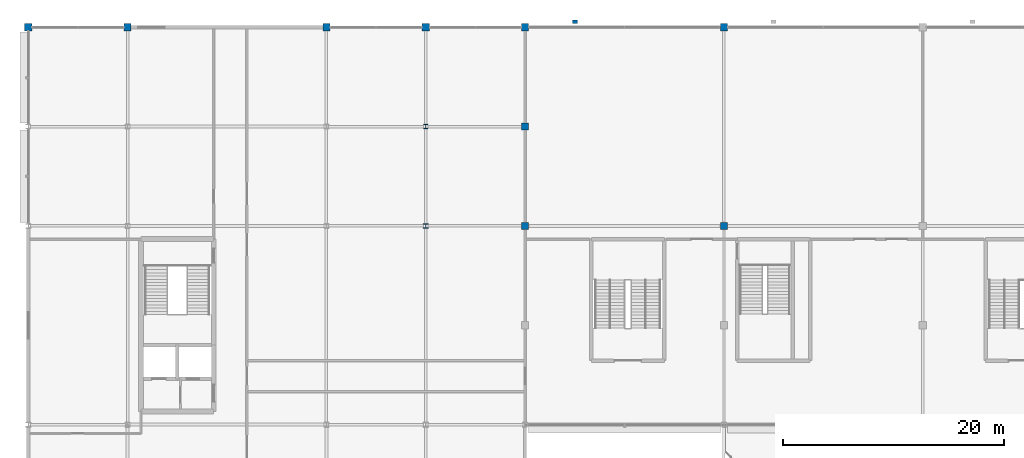
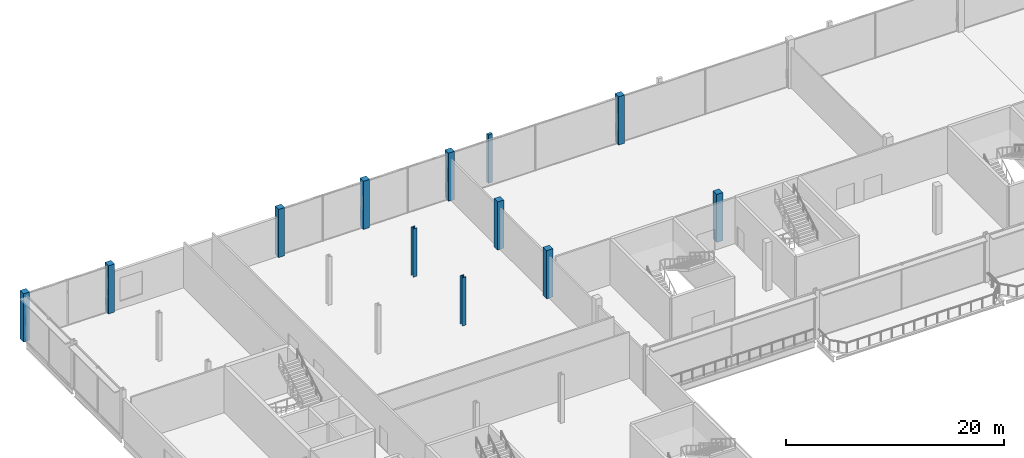
# One storey, part 5 of 113: 12 columns.
"""IFC4 building model written with IfcOpenShell, lengths in metres."""

from ifc_helpers import new_model, si_unit, direction, frame, origin, origin_2d, place, context, subcontext, project, spatial, rectangle, i_section, extrude, material, material_profile, profile_set, type_object, element, save


model = new_model("IFC4")

# Units and contexts
model_context = context("Model", 3, precision=1e-05, world=origin(), true_north=direction((0.0, 1.0)))
body_context = subcontext(model_context, "Body", "Model", "MODEL_VIEW")
ifc_project = project(units=[si_unit("LENGTHUNIT", "METRE"), si_unit("AREAUNIT", "SQUARE_METRE"), si_unit("VOLUMEUNIT", "CUBIC_METRE"), si_unit("PLANEANGLEUNIT", "RADIAN"), si_unit("MASSUNIT", "GRAM", prefix="KILO")], contexts=[model_context])

# Site, building, storey
site_placement = place(None, origin())
site = spatial("IfcSite", under=ifc_project, at=site_placement, CompositionType="ELEMENT")
building_placement = place(site_placement, origin())
building = spatial("IfcBuilding", under=site, at=building_placement, Name="Kisiwana Market Hall", CompositionType="ELEMENT")
storey_placement = place(building_placement, frame((0.0, 0.0, 6.0)))
storey = spatial("IfcBuildingStorey", under=building, at=storey_placement, Name="L01", CompositionType="ELEMENT", Elevation=6.0)

# Columns
ifc_material_1 = material(Name="Concrete C40/50", Category="concrete")
ifc_material_profile_1 = material_profile(ifc_material_1, rectangle(XDim=0.64990234375, YDim=0.64990234375, at=origin_2d()), Name="RC 650x650")
ifc_profile_set_1 = profile_set([ifc_material_profile_1], Name="Concrete C40/50")
column_type_1 = type_object("IfcColumnType", Name="COL-RC-POD-650", PredefinedType="COLUMN", material=ifc_profile_set_1)
for number, where, z_axis, x_axis, name in (
    (1, (0.0, 120.0, 0.0), (0.0, 0.0, 1.0), (1.0, 0.0, 0.0), "Column Q/1 (L01) C-0368"),
    (2, (9.0, 120.0, 0.0), (0.0, 0.0, 1.0), (1.0, 0.0, 0.0), "Column Q/2 (L01) C-0376"),
    (3, (27.0, 120.0, 0.0), (0.0, 0.0, 1.0), (1.0, 0.0, 0.0), "Column Q/4 (L01) C-0385"),
    (4, (36.0, 120.0, 0.0), (0.0, 0.0, 1.0), (1.0, 0.0, 0.0), "Column Q/5 (L01) C-0393"),
    (5, (45.0, 102.0, 0.0), (0.0, 0.0, 1.0), (1.0, 0.0, 0.0), "Column N/6 (L01) C-0402"),
    (6, (45.0, 111.0, 0.0), (0.0, 0.0, 1.0), (1.0, 0.0, 0.0), "Column P/6 (L01) C-0403"),
    (7, (45.0, 120.0, 0.0), (0.0, 0.0, 1.0), (1.0, 0.0, 0.0), "Column Q/6 (L01) C-0404"),
    (8, (63.0, 102.0, 0.0), (0.0, 0.0, 1.0), (1.0, 0.0, 0.0), "Column N/8 (L01) C-0411"),
    (9, (63.0, 120.0, 0.0), (0.0, 0.0, 1.0), (1.0, 0.0, 0.0), "Column Q/8 (L01) C-0412"),
):
    element("IfcColumn", number, at=place(storey_placement, frame(where, z_axis=z_axis, x_axis=x_axis)), inside=storey, type_object=column_type_1, Name=name, PredefinedType="COLUMN", context=body_context, shape_type="SweptSolid", body=[
        extrude(rectangle(XDim=0.64990234375, YDim=0.64990234375, at=origin_2d()), origin(), (0.0, 0.0, 1.0), 5.39990234375),
    ])
ifc_material_2 = material(Name="Steel S355", Category="steel")
ifc_material_profile_2 = material_profile(ifc_material_2, i_section(OverallWidth=0.412109375, OverallDepth=0.43505859375, WebThickness=0.035888671875, FlangeThickness=0.05810546875, at=origin_2d()), Name="HD 400x463")
ifc_profile_set_2 = profile_set([ifc_material_profile_2], Name="Steel S355")
column_type_2 = type_object("IfcColumnType", Name="COL-STL-HD463", PredefinedType="COLUMN", material=ifc_profile_set_2)
column_1_placement = place(storey_placement, frame((36.0, 102.0, 0.0), z_axis=(0.0, 0.0, 1.0), x_axis=(1.0, 0.0, 0.0)))
element("IfcColumn", 10, at=column_1_placement, inside=storey, type_object=column_type_2, Name="Column N/5 (L01) C-0391", PredefinedType="COLUMN", context=body_context, shape_type="SweptSolid", body=[
    extrude(i_section(OverallWidth=0.412109375, OverallDepth=0.43505859375, WebThickness=0.035888671875, FlangeThickness=0.05810546875, at=origin_2d()), origin(), (0.0, 0.0, 1.0), 5.39990234375),
])
ifc_material_3 = material(Name="Steel S355", Category="steel")
ifc_material_profile_3 = material_profile(ifc_material_3, i_section(OverallWidth=0.403076171875, OverallDepth=0.406494140625, WebThickness=0.026611328125, FlangeThickness=0.04296875, at=origin_2d()), Name="UC 356x406x340")
ifc_profile_set_3 = profile_set([ifc_material_profile_3], Name="Steel S355")
column_type_3 = type_object("IfcColumnType", Name="COL-STL-UC340", PredefinedType="COLUMN", material=ifc_profile_set_3)
column_2_placement = place(storey_placement, frame((36.0, 111.0, 0.0), z_axis=(0.0, 0.0, 1.0), x_axis=(1.0, 0.0, 0.0)))
element("IfcColumn", 11, at=column_2_placement, inside=storey, type_object=column_type_3, Name="Column P/5 (L01) C-0392", PredefinedType="COLUMN", context=body_context, shape_type="SweptSolid", body=[
    extrude(i_section(OverallWidth=0.403076171875, OverallDepth=0.406494140625, WebThickness=0.026611328125, FlangeThickness=0.04296875, at=origin_2d()), origin(), (0.0, 0.0, 1.0), 5.39990234375),
])
ifc_material_4 = material(Name="Concrete C40/50", Category="concrete")
ifc_material_profile_4 = material_profile(ifc_material_4, rectangle(XDim=0.449951171875, YDim=0.300048828125, at=origin_2d()), Name="PIL 450x300")
ifc_profile_set_4 = profile_set([ifc_material_profile_4], Name="Concrete C40/50")
column_type_4 = type_object("IfcColumnType", Name="PIL-CONC-450", PredefinedType="PILASTER", material=ifc_profile_set_4)
column_3_placement = place(storey_placement, frame((49.5, 120.5, 0.0), z_axis=(0.0, 0.0, 1.0), x_axis=(1.0, 0.0, 0.0)))
element("IfcColumn", 12, at=column_3_placement, inside=storey, type_object=column_type_4, Name="Facade pilaster Q/6 (L01) C-0500", PredefinedType="PILASTER", context=body_context, shape_type="SweptSolid", body=[
    extrude(rectangle(XDim=0.449951171875, YDim=0.300048828125, at=origin_2d()), origin(), (0.0, 0.0, 1.0), 5.39990234375),
])

save(model, "model.ifc")
